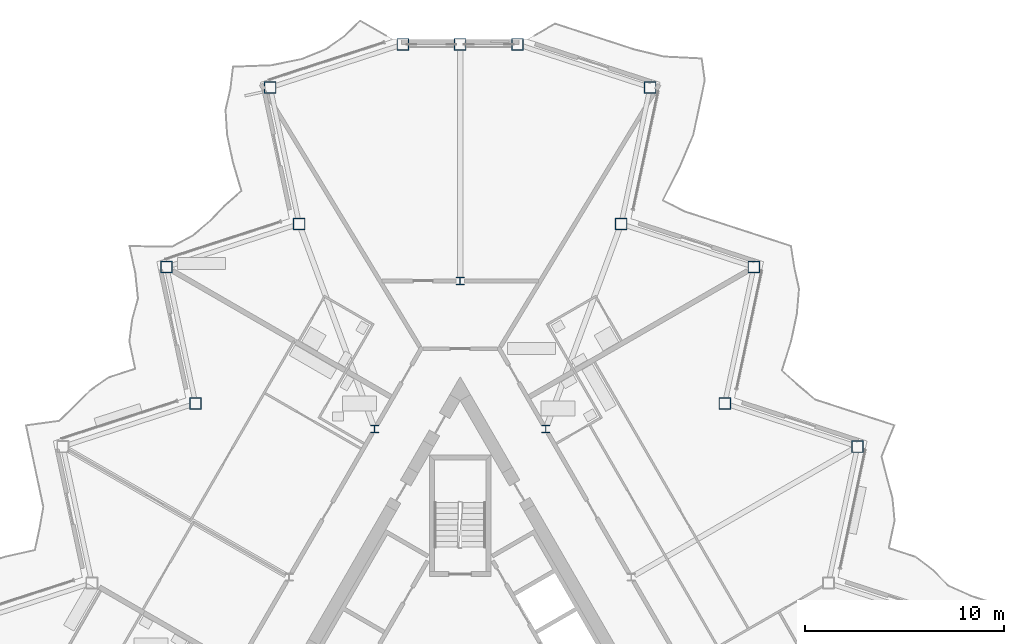
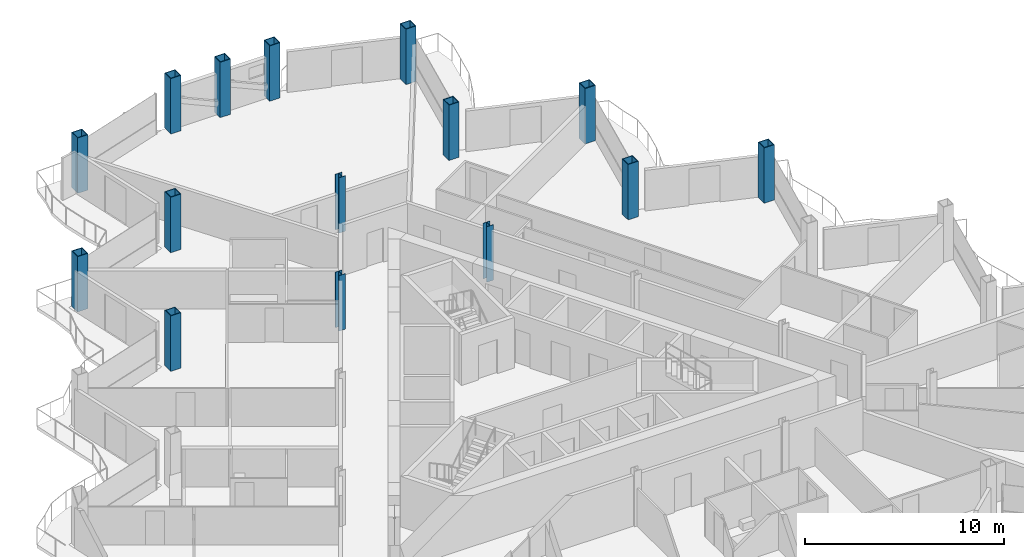
# One storey, part 3 of 27: 15 columns.
"""IFC4 building model written with IfcOpenShell, lengths in metres."""

from ifc_helpers import new_model, si_unit, direction, frame, origin, origin_2d, place, context, subcontext, project, spatial, hollow_rectangle, i_section, extrude, material, material_profile, profile_set, type_object, element, save


model = new_model("IFC4")

# Units and contexts
model_context = context("Model", 3, precision=1e-05, world=origin(), true_north=direction((0.0, 1.0)))
body_context = subcontext(model_context, "Body", "Model", "MODEL_VIEW")
ifc_project = project(units=[si_unit("LENGTHUNIT", "METRE"), si_unit("AREAUNIT", "SQUARE_METRE"), si_unit("VOLUMEUNIT", "CUBIC_METRE"), si_unit("PLANEANGLEUNIT", "RADIAN"), si_unit("MASSUNIT", "GRAM", prefix="KILO")], contexts=[model_context])

# Site, building, storey
site_placement = place(None, origin())
site = spatial("IfcSite", under=ifc_project, at=site_placement, CompositionType="ELEMENT")
building_placement = place(site_placement, origin())
building = spatial("IfcBuilding", under=site, at=building_placement, Name="Cormorant Prow Tower", CompositionType="ELEMENT")
storey_placement = place(building_placement, frame((0.0, 0.0, 312.0)))
storey = spatial("IfcBuildingStorey", under=building, at=storey_placement, Name="L68", CompositionType="ELEMENT", Elevation=312.0)

# Columns
ifc_material_1 = material(Name="Structural steel ASTM A572 Gr 50", Category="steel")
ifc_material_profile_1 = material_profile(ifc_material_1, hollow_rectangle(XDim=0.60009765625, YDim=0.60009765625, WallThickness=0.0400390625, at=origin_2d()), Name="Box 600x600x40")
ifc_profile_set_1 = profile_set([ifc_material_profile_1], Name="Structural steel ASTM A572 Gr 50")
column_type_1 = type_object("IfcColumnType", Name="Perimeter box column 600x600x40", PredefinedType="COLUMN", material=ifc_profile_set_1)
for number, where, z_axis, x_axis, name in (
    (1, (19.925537109375, 11.504150390625, 0.0), (0.0, 0.0, 1.0), (1.0, 0.0, 0.0), "Perimeter column C6 at ENE05 L68"),
    (2, (13.27197265625, 13.666015625, 0.0), (0.0, 0.0, 1.0), (1.0, 0.0, 0.0), "Perimeter column C6 at ENE06 L68"),
    (3, (14.7265625, 20.509033203125, 0.0), (0.0, 0.0, 1.0), (1.0, 0.0, 0.0), "Perimeter column C6 at ENE07 L68"),
    (4, (8.072998046875, 22.6708984375, 0.0), (0.0, 0.0, 1.0), (1.0, 0.0, 0.0), "Perimeter column C6 at ENE08 L68"),
    (5, (9.52734375, 29.51416015625, 0.0), (0.0, 0.0, 1.0), (1.0, 0.0, 0.0), "Perimeter column C6 at ENE09 L68"),
    (6, (2.873779296875, 31.676025390625, 0.0), (0.0, 0.0, 1.0), (1.0, 0.0, 0.0), "Perimeter column C6 at N00 L68"),
    (7, (0.0, 31.676025390625, 0.0), (0.0, 0.0, 1.0), (1.0, 0.0, 0.0), "Perimeter column C6 at N01 L68"),
    (8, (-2.873779296875, 31.676025390625, 0.0), (0.0, 0.0, 1.0), (1.0, 0.0, 0.0), "Perimeter column C6 at WNW00 L68"),
    (9, (-9.52734375, 29.51416015625, 0.0), (0.0, 0.0, 1.0), (1.0, 0.0, 0.0), "Perimeter column C6 at WNW01 L68"),
    (10, (-8.072998046875, 22.6708984375, 0.0), (0.0, 0.0, 1.0), (1.0, 0.0, 0.0), "Perimeter column C6 at WNW02 L68"),
    (11, (-14.7265625, 20.509033203125, 0.0), (0.0, 0.0, 1.0), (1.0, 0.0, 0.0), "Perimeter column C6 at WNW03 L68"),
    (12, (-13.27197265625, 13.666015625, 0.0), (0.0, 0.0, 1.0), (1.0, 0.0, 0.0), "Perimeter column C6 at WNW04 L68"),
):
    element("IfcColumn", number, at=place(storey_placement, frame(where, z_axis=z_axis, x_axis=x_axis)), inside=storey, type_object=column_type_1, Name=name, PredefinedType="COLUMN", context=body_context, shape_type="SweptSolid", body=[
        extrude(hollow_rectangle(XDim=0.60009765625, YDim=0.60009765625, WallThickness=0.0400390625, at=origin_2d()), origin(), (0.0, 0.0, 1.0), 3.39990234375),
    ])
ifc_material_2 = material(Name="Structural steel ASTM A992 Gr 50", Category="steel")
ifc_material_profile_2 = material_profile(ifc_material_2, i_section(OverallWidth=0.3955078125, OverallDepth=0.380615234375, WebThickness=0.018798828125, FlangeThickness=0.0302734375, at=origin_2d()), Name="W14x159")
ifc_profile_set_2 = profile_set([ifc_material_profile_2], Name="Structural steel ASTM A992 Gr 50")
column_type_2 = type_object("IfcColumnType", Name="Ring column W14x159", PredefinedType="COLUMN", material=ifc_profile_set_2)
for number, where, z_axis, x_axis, name in (
    (13, (0.0, 19.81103515625, 0.0), (0.0, 0.0, 1.0), (1.0, 0.0, 0.0), "Ring column 1 L68"),
    (14, (-4.289306640625, 12.3818359375, 0.0), (0.0, 0.0, 1.0), (1.0, 0.0, 0.0), "Ring column 2 L68"),
    (15, (4.289306640625, 12.3818359375, 0.0), (0.0, 0.0, 1.0), (1.0, 0.0, 0.0), "Ring column 12 L68"),
):
    element("IfcColumn", number, at=place(storey_placement, frame(where, z_axis=z_axis, x_axis=x_axis)), inside=storey, type_object=column_type_2, Name=name, PredefinedType="COLUMN", context=body_context, shape_type="SweptSolid", body=[
        extrude(i_section(OverallWidth=0.3955078125, OverallDepth=0.380615234375, WebThickness=0.018798828125, FlangeThickness=0.0302734375, at=origin_2d()), origin(), (0.0, 0.0, 1.0), 3.39990234375),
    ])

save(model, "model.ifc")
